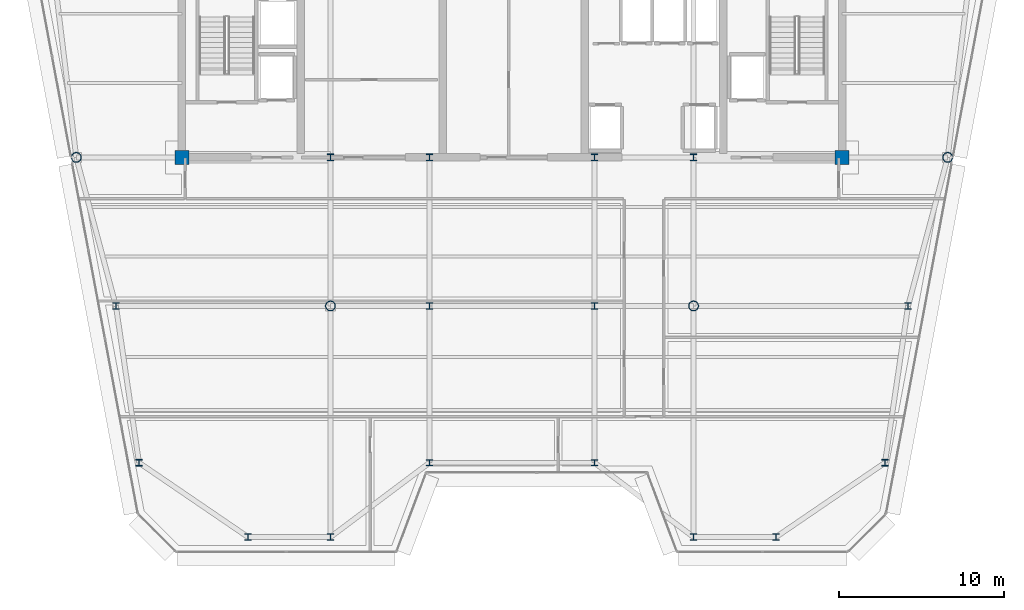
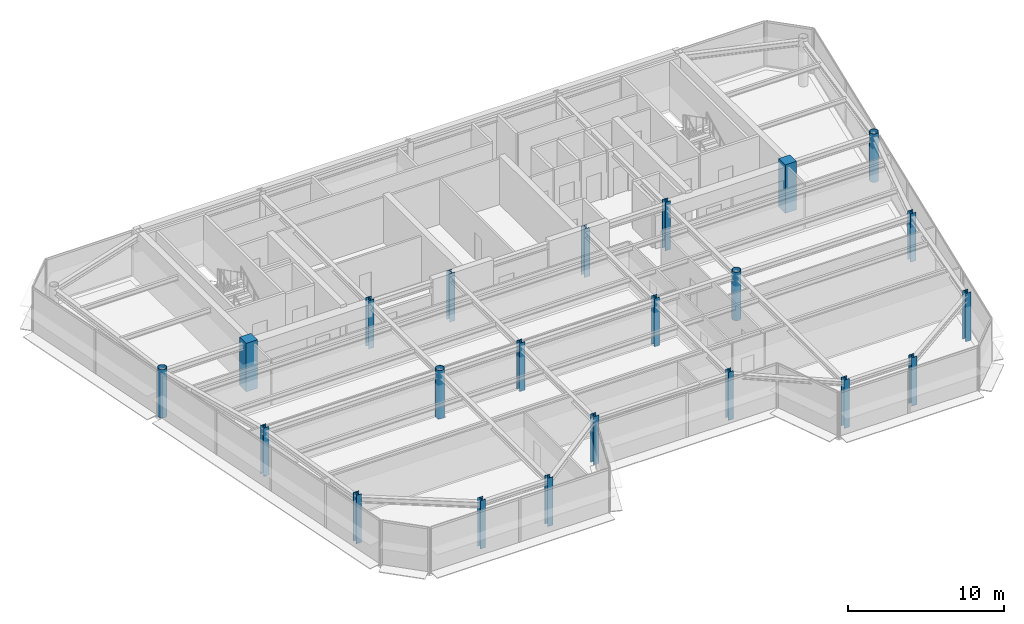
# One storey, part 1 of 19: 22 columns.
"""IFC4 building model written with IfcOpenShell, lengths in metres."""

import ifcopenshell
import ifcopenshell.guid

model = None  # the IFC model being written
_history = None  # IfcOwnerHistory: only IFC2X3 demands one
_inside = {}  # id of a spatial element -> (the spatial element, [elements in it])
_under = {}  # id of a project, library or spatial element -> (it, [spatial elements below it])
_declared = {}  # id of a project -> (the project, [libraries it declares])
_typed = {}  # id of a type object -> (the type object, [elements of that type])
_made_of = {}  # id of a material, layer set ... -> (it, [elements and type objects made of it])


def new_model(schema):
    """Start an empty IFC model of exactly this schema.

    Asked for "IFC4X3", IfcOpenShell would pick the latest addendum, in which some entities
    have other attributes; the version numbers below select the first issue.
    IFC2X3 requires an IfcOwnerHistory on every rooted entity: one is made here for all.
    """
    global model, _history
    if schema == "IFC4X3":
        model = ifcopenshell.file(schema_version=(4, 3, 0, 0))
    else:
        model = ifcopenshell.file(schema=schema)
    _inside.clear()
    _under.clear()
    _declared.clear()
    _typed.clear()
    _made_of.clear()
    _history = None
    if model.schema == "IFC2X3":
        org = make("IfcOrganization", Name="unknown")
        user = make(
            "IfcPersonAndOrganization",
            ThePerson=make("IfcPerson", FamilyName="unknown"),
            TheOrganization=org,
        )
        app = make(
            "IfcApplication",
            ApplicationDeveloper=org,
            Version="unknown",
            ApplicationFullName="unknown",
            ApplicationIdentifier="unknown",
        )
        _history = make(
            "IfcOwnerHistory",
            OwningUser=user,
            OwningApplication=app,
            ChangeAction="ADDED",
            CreationDate=0,
        )
    return model


def make(cls, **values):
    """One entity of the class cls with the attributes given. An attribute that is None is left unset."""
    return model.create_entity(
        cls, **{name: value for name, value in values.items() if value is not None}
    )


def rooted(cls, **values):
    """An entity with a GlobalId (a new one), such as an element, a storey or a relation."""
    return make(cls, GlobalId=ifcopenshell.guid.new(), OwnerHistory=_history, **values)


def si_unit(unit_type, name, prefix=None):
    """IfcSIUnit, for example si_unit("LENGTHUNIT", "METRE", prefix="MILLI")."""
    return make("IfcSIUnit", UnitType=unit_type, Prefix=prefix, Name=name)


def assignment(units):
    """IfcUnitAssignment: the units of a project."""
    return None if units is None else make("IfcUnitAssignment", Units=units)


def point(xyz):
    """IfcCartesianPoint."""
    return None if xyz is None else make("IfcCartesianPoint", Coordinates=xyz)


def direction(xyz):
    """IfcDirection."""
    return None if xyz is None else make("IfcDirection", DirectionRatios=xyz)


def frame(location, z_axis=None, x_axis=None):
    """IfcAxis2Placement3D, a coordinate frame: its origin and axes. An axis left out is left unset."""
    return make(
        "IfcAxis2Placement3D",
        Location=point(location),
        Axis=direction(z_axis),
        RefDirection=direction(x_axis),
    )


def frame_2d(location, x_axis=None):
    """IfcAxis2Placement2D, a coordinate frame in the plane: its origin and x axis."""
    return make(
        "IfcAxis2Placement2D", Location=point(location), RefDirection=direction(x_axis)
    )


def origin():
    """The frame at (0, 0, 0) with its axes left unset."""
    return frame((0.0, 0.0, 0.0))


def origin_2d():
    """The frame at (0, 0) in the plane with its x axis left unset."""
    return frame_2d((0.0, 0.0))


def place(relative_to, where):
    """IfcLocalPlacement: puts the frame where relative to a parent placement (None: the world)."""
    return make(
        "IfcLocalPlacement", PlacementRelTo=relative_to, RelativePlacement=where
    )


def context(
    kind, dimensions, precision=None, world=None, true_north=None, identifier=None
):
    """IfcGeometricRepresentationContext, for example the 3D "Model" context."""
    return make(
        "IfcGeometricRepresentationContext",
        ContextIdentifier=identifier,
        ContextType=kind,
        CoordinateSpaceDimension=dimensions,
        Precision=precision,
        WorldCoordinateSystem=world,
        TrueNorth=true_north,
    )


def subcontext(parent, identifier, kind, view, scale=None):
    """IfcGeometricRepresentationSubContext, for example "Body" below "Model"."""
    return make(
        "IfcGeometricRepresentationSubContext",
        ContextIdentifier=identifier,
        ContextType=kind,
        ParentContext=parent,
        TargetScale=scale,
        TargetView=view,
    )


def project(units=None, contexts=None):
    """IfcProject with its units and contexts."""
    return rooted(
        "IfcProject",
        Name="project",
        RepresentationContexts=contexts,
        UnitsInContext=assignment(units),
    )


def spatial(cls, under=None, at=None, **own):
    """A site, building, storey or space (cls), placed at a placement, below another one or the project."""
    s = rooted(cls, ObjectPlacement=at, **own)
    if under is not None:
        _under.setdefault(under.id(), (under, []))[1].append(s)
    return s


def profile(cls, at=None, kind="AREA", **sizes):
    """A parametric profile (cls). Its sizes go by their IFC names, for example OverallWidth=200.0."""
    return make(cls, ProfileType=kind, Position=at, **sizes)


def rectangle(**sizes):
    """IfcRectangleProfileDef."""
    return profile("IfcRectangleProfileDef", **sizes)


def hollow_circle(**sizes):
    """IfcCircleHollowProfileDef."""
    return profile("IfcCircleHollowProfileDef", **sizes)


def i_section(**sizes):
    """IfcIShapeProfileDef."""
    return profile("IfcIShapeProfileDef", **sizes)


def extrude(swept, where, along, depth):
    """IfcExtrudedAreaSolid: the profile swept, set in the frame where, extruded along a direction by depth."""
    return make(
        "IfcExtrudedAreaSolid",
        SweptArea=swept,
        Position=where,
        ExtrudedDirection=direction(along),
        Depth=depth,
    )


def shape(context_of_items, identifier, shape_type, items):
    """IfcShapeRepresentation: the items that make up one representation, for example the "Body"."""
    return make(
        "IfcShapeRepresentation",
        ContextOfItems=context_of_items,
        RepresentationIdentifier=identifier,
        RepresentationType=shape_type,
        Items=items,
    )


def source(mapping_origin, context_of_items, identifier, shape_type, items):
    """IfcRepresentationMap: a shape defined once, which mapped items show again and again."""
    return make(
        "IfcRepresentationMap",
        MappingOrigin=mapping_origin,
        MappedRepresentation=shape(context_of_items, identifier, shape_type, items),
    )


def transform(
    local_origin,
    x_axis=None,
    y_axis=None,
    z_axis=None,
    scale=None,
    scale2=None,
    scale3=None,
    uniform=True,
):
    """IfcCartesianTransformationOperator3D, or its non-uniform kind. x_axis, y_axis, z_axis: its Axis1, 2, 3."""
    if uniform:
        return make(
            "IfcCartesianTransformationOperator3D",
            Axis1=direction(x_axis),
            Axis2=direction(y_axis),
            LocalOrigin=point(local_origin),
            Scale=scale,
            Axis3=direction(z_axis),
        )
    return make(
        "IfcCartesianTransformationOperator3DnonUniform",
        Axis1=direction(x_axis),
        Axis2=direction(y_axis),
        LocalOrigin=point(local_origin),
        Scale=scale,
        Axis3=direction(z_axis),
        Scale2=scale2,
        Scale3=scale3,
    )


def mapped(mapping_source, mapping_target):
    """IfcMappedItem: shows the shape of a source again, moved by a transform."""
    return make(
        "IfcMappedItem", MappingSource=mapping_source, MappingTarget=mapping_target
    )


def material(Name=None, Category=None):
    """IfcMaterial."""
    return make("IfcMaterial", Name=Name, Category=Category)


def material_profile(
    of_material, cross_section, Name=None, Category=None, Priority=None
):
    """IfcMaterialProfile: a cross section and its material."""
    return make(
        "IfcMaterialProfile",
        Name=Name,
        Material=of_material,
        Profile=cross_section,
        Priority=Priority,
        Category=Category,
    )


def profile_set(profiles, Name=None, composite=None):
    """IfcMaterialProfileSet."""
    return make(
        "IfcMaterialProfileSet",
        Name=Name,
        MaterialProfiles=profiles,
        CompositeProfile=composite,
    )


def made_of(thing, what):
    """Note that an element or type object is made of a material, layer set ...; save() writes the relation."""
    if what is not None:
        _made_of.setdefault(what.id(), (what, []))[1].append(thing)
    return thing


def type_object(cls, material=None, **own):
    """A type object (cls), such as IfcWallType, which elements share."""
    return made_of(rooted(cls, **own), material)


def element(
    cls,
    number,
    at=None,
    inside=None,
    cuts=None,
    type_object=None,
    material=None,
    context=None,
    identifier="Body",
    shape_type=None,
    held_by="IfcProductDefinitionShape",
    body=None,
    shapes=None,
    **own,
):
    """One element of the class cls, such as IfcWall. Its Tag is "e" and its number.

    at: its placement. inside: the storey or other place that contains it. cuts: it is an
    opening in that element (IfcRelVoidsElement). A single representation is given by context,
    identifier, shape_type and body (its items); several are given by shapes. held_by: the class
    of the entity that holds the representations. save() writes the other relations.
    """
    e = rooted(cls, Tag="e%d" % number, ObjectPlacement=at, **own)
    if body is not None:
        shapes = [shape(context, identifier, shape_type, body)]
    if shapes is not None:
        e.Representation = make(held_by, Representations=shapes)
    if inside is not None:
        _inside.setdefault(inside.id(), (inside, []))[1].append(e)
    if cuts is not None:
        rooted(
            "IfcRelVoidsElement", RelatingBuildingElement=cuts, RelatedOpeningElement=e
        )
    if type_object is not None:
        _typed.setdefault(type_object.id(), (type_object, []))[1].append(e)
    return made_of(e, material)


def aggregate(whole, parts):
    """IfcRelAggregates: a whole, such as a stair, and the parts it consists of."""
    return rooted("IfcRelAggregates", RelatingObject=whole, RelatedObjects=parts)


def save(model, path):
    """Write the relations noted so far, then the file.

    IfcRelAggregates (storeys below a building ...), IfcRelContainedInSpatialStructure (elements
    in a storey), IfcRelDefinesByType, IfcRelAssociatesMaterial and IfcRelDeclares: one each for
    every whole, place, type object, material and project.
    """
    for whole, parts in _under.values():
        aggregate(whole, parts)
    for where, things in _inside.values():
        rooted(
            "IfcRelContainedInSpatialStructure",
            RelatedElements=things,
            RelatingStructure=where,
        )
    for kind, things in _typed.values():
        rooted("IfcRelDefinesByType", RelatedObjects=things, RelatingType=kind)
    for what, things in _made_of.values():
        rooted("IfcRelAssociatesMaterial", RelatedObjects=things, RelatingMaterial=what)
    for by, libraries in _declared.values():
        rooted("IfcRelDeclares", RelatingContext=by, RelatedDefinitions=libraries)
    model.write(path)


model = new_model("IFC4")

# Units and contexts
model_context = context("Model", 3, precision=1e-05, world=origin(), true_north=direction((0.0, 1.0)))
body_context = subcontext(model_context, "Body", "Model", "MODEL_VIEW")
ifc_project = project(units=[si_unit("LENGTHUNIT", "METRE"), si_unit("AREAUNIT", "SQUARE_METRE"), si_unit("VOLUMEUNIT", "CUBIC_METRE"), si_unit("PLANEANGLEUNIT", "RADIAN"), si_unit("MASSUNIT", "GRAM", prefix="KILO")], contexts=[model_context])

# Site, building, storey
site_placement = place(None, origin())
site = spatial("IfcSite", under=ifc_project, at=site_placement, CompositionType="ELEMENT")
building_placement = place(site_placement, origin())
building = spatial("IfcBuilding", under=site, at=building_placement, Name="Vaeldorn Concourse Tower", CompositionType="ELEMENT")
storey_placement = place(building_placement, frame((0.0, 0.0, 287.800048828125)))
storey = spatial("IfcBuildingStorey", under=building, at=storey_placement, Name="L74", CompositionType="ELEMENT", Elevation=287.800048828125)

# Columns
ifc_material_1 = material(Name="Concrete C50/60", Category="concrete")
ifc_material_profile_1 = material_profile(ifc_material_1, rectangle(XDim=0.85009765625, YDim=0.85009765625, at=origin_2d()), Name="RC 850x850")
ifc_profile_set_1 = profile_set([ifc_material_profile_1], Name="Concrete C50/60")
column_type_1 = type_object("IfcColumnType", Name="COL-RC850", PredefinedType="COLUMN", material=ifc_profile_set_1)
shared_shape_1 = source(origin(), body_context, "Body", "SweptSolid", [
    extrude(rectangle(XDim=0.85009765625, YDim=0.85009765625, at=origin_2d()), origin(), (0.0, 0.0, 1.0), 3.800048828125),
])
for number, where, z_axis, x_axis, name in (
    (1, (14.0, 36.5, 0.0), (0.0, 0.0, 1.0), (1.0, 0.0, 0.0), "Column C-FC1 L74"),
    (2, (54.0, 36.5, 0.0), (0.0, 0.0, 1.0), (1.0, 0.0, 0.0), "Column C-FC6 L74"),
):
    element("IfcColumn", number, at=place(storey_placement, frame(where, z_axis=z_axis, x_axis=x_axis)), inside=storey, type_object=column_type_1, Name=name, PredefinedType="COLUMN", context=body_context, shape_type="MappedRepresentation", body=[
        mapped(shared_shape_1, transform((0.0, 0.0, 0.0), scale=1.0)),
    ])
ifc_material_2 = material(Name="Steel S355", Category="steel")
ifc_material_profile_2 = material_profile(ifc_material_2, i_section(OverallWidth=0.406005859375, OverallDepth=0.416015625, WebThickness=0.02978515625, FlangeThickness=0.0419921875, FilletRadius=0.014892578125, at=origin_2d()), Name="HD 400x382")
ifc_profile_set_2 = profile_set([ifc_material_profile_2], Name="Steel S355")
column_type_2 = type_object("IfcColumnType", Name="COL-HD382", PredefinedType="COLUMN", material=ifc_profile_set_2)
shared_shape_2 = source(origin(), body_context, "Body", "SweptSolid", [
    extrude(i_section(OverallWidth=0.406005859375, OverallDepth=0.416015625, WebThickness=0.02978515625, FlangeThickness=0.0419921875, FilletRadius=0.014892578125, at=origin_2d()), origin(), (0.0, 0.0, 1.0), 3.800048828125),
])
for number, where, z_axis, x_axis, name in (
    (3, (23.0, 36.5, 0.0), (0.0, 0.0, 1.0), (1.0, 0.0, 0.0), "Column C-FC2 L74"),
    (4, (29.0, 36.5, 0.0), (0.0, 0.0, 1.0), (1.0, 0.0, 0.0), "Column C-FC3 L74"),
    (5, (39.0, 36.5, 0.0), (0.0, 0.0, 1.0), (1.0, 0.0, 0.0), "Column C-FC4 L74"),
    (6, (45.0, 36.5, 0.0), (0.0, 0.0, 1.0), (1.0, 0.0, 0.0), "Column C-FC5 L74"),
):
    element("IfcColumn", number, at=place(storey_placement, frame(where, z_axis=z_axis, x_axis=x_axis)), inside=storey, type_object=column_type_2, Name=name, PredefinedType="COLUMN", context=body_context, shape_type="MappedRepresentation", body=[
        mapped(shared_shape_2, transform((0.0, 0.0, 0.0), scale=1.0)),
    ])
ifc_material_profile_3 = material_profile(ifc_material_2, hollow_circle(Radius=0.304931640625, WallThickness=0.030029296875, at=origin_2d()), Name="CHS 610x30")
ifc_profile_set_3 = profile_set([ifc_material_profile_3], Name="Steel S355")
column_type_3 = type_object("IfcColumnType", Name="COL-CHS610", PredefinedType="COLUMN", material=ifc_profile_set_3)
shared_shape_3 = source(origin(), body_context, "Body", "SweptSolid", [
    extrude(hollow_circle(Radius=0.304931640625, WallThickness=0.030029296875, at=origin_2d()), origin(), (0.0, 0.0, 1.0), 3.800048828125),
])
for number, where, z_axis, x_axis, name in (
    (7, (7.60009765625, 36.5, 0.0), (0.0, 0.0, 1.0), (1.0, 0.0, 0.0), "Column C-NW2 L74"),
    (8, (60.39990234375, 36.5, 0.0), (0.0, 0.0, 1.0), (1.0, 0.0, 0.0), "Column C-NE2 L74"),
    (9, (23.0, 27.5, 0.0), (0.0, 0.0, 1.0), (1.0, 0.0, 0.0), "Column C-TW1 L74"),
    (10, (45.0, 27.5, 0.0), (0.0, 0.0, 1.0), (1.0, 0.0, 0.0), "Column C-TW4 L74"),
):
    element("IfcColumn", number, at=place(storey_placement, frame(where, z_axis=z_axis, x_axis=x_axis)), inside=storey, type_object=column_type_3, Name=name, PredefinedType="COLUMN", context=body_context, shape_type="MappedRepresentation", body=[
        mapped(shared_shape_3, transform((0.0, 0.0, 0.0), scale=1.0)),
    ])
ifc_material_profile_4 = material_profile(ifc_material_2, i_section(OverallWidth=0.40087890625, OverallDepth=0.39892578125, WebThickness=0.02490234375, FlangeThickness=0.034912109375, FilletRadius=0.014892578125, at=origin_2d()), Name="HD 400x314")
ifc_profile_set_4 = profile_set([ifc_material_profile_4], Name="Steel S355")
column_type_4 = type_object("IfcColumnType", Name="COL-HD314F", PredefinedType="COLUMN", material=ifc_profile_set_4)
shared_shape_4 = source(origin(), body_context, "Body", "SweptSolid", [
    extrude(i_section(OverallWidth=0.40087890625, OverallDepth=0.39892578125, WebThickness=0.02490234375, FlangeThickness=0.034912109375, FilletRadius=0.014892578125, at=origin_2d()), origin(), (0.0, 0.0, 1.0), 3.800048828125),
])
for number, where, z_axis, x_axis, name in (
    (11, (10.0, 27.5, 0.0), (0.0, 0.0, 1.0), (1.0, 0.0, 0.0), "Column C-FLW1 L74"),
    (12, (11.39990234375, 18.0, 0.0), (0.0, 0.0, 1.0), (1.0, 0.0, 0.0), "Column C-FLW2 L74"),
    (13, (58.0, 27.5, 0.0), (0.0, 0.0, 1.0), (1.0, 0.0, 0.0), "Column C-FLE1 L74"),
    (14, (56.60009765625, 18.0, 0.0), (0.0, 0.0, 1.0), (1.0, 0.0, 0.0), "Column C-FLE2 L74"),
):
    element("IfcColumn", number, at=place(storey_placement, frame(where, z_axis=z_axis, x_axis=x_axis)), inside=storey, type_object=column_type_4, Name=name, PredefinedType="COLUMN", context=body_context, shape_type="MappedRepresentation", body=[
        mapped(shared_shape_4, transform((0.0, 0.0, 0.0), scale=1.0)),
    ])
ifc_material_profile_5 = material_profile(ifc_material_2, i_section(OverallWidth=0.39794921875, OverallDepth=0.386962890625, WebThickness=0.0205078125, FlangeThickness=0.029052734375, FilletRadius=0.014892578125, at=origin_2d()), Name="HD 400x262")
ifc_profile_set_5 = profile_set([ifc_material_profile_5], Name="Steel S355")
column_type_5 = type_object("IfcColumnType", Name="COL-HD262T", PredefinedType="COLUMN", material=ifc_profile_set_5)
shared_shape_5 = source(origin(), body_context, "Body", "SweptSolid", [
    extrude(i_section(OverallWidth=0.39794921875, OverallDepth=0.386962890625, WebThickness=0.0205078125, FlangeThickness=0.029052734375, FilletRadius=0.014892578125, at=origin_2d()), origin(), (0.0, 0.0, 1.0), 3.800048828125),
])
for number, where, z_axis, x_axis, name in (
    (15, (29.0, 27.5, 0.0), (0.0, 0.0, 1.0), (1.0, 0.0, 0.0), "Column C-TW2 L74"),
    (16, (39.0, 27.5, 0.0), (0.0, 0.0, 1.0), (1.0, 0.0, 0.0), "Column C-TW3 L74"),
    (17, (18.0, 13.5, 0.0), (0.0, 0.0, 1.0), (1.0, 0.0, 0.0), "Column C-SF1 L74"),
    (18, (23.0, 13.5, 0.0), (0.0, 0.0, 1.0), (1.0, 0.0, 0.0), "Column C-SF2 L74"),
    (19, (29.0, 18.0, 0.0), (0.0, 0.0, 1.0), (1.0, 0.0, 0.0), "Column C-SF3 L74"),
    (20, (39.0, 18.0, 0.0), (0.0, 0.0, 1.0), (1.0, 0.0, 0.0), "Column C-SF4 L74"),
    (21, (45.0, 13.5, 0.0), (0.0, 0.0, 1.0), (1.0, 0.0, 0.0), "Column C-SF5 L74"),
    (22, (50.0, 13.5, 0.0), (0.0, 0.0, 1.0), (1.0, 0.0, 0.0), "Column C-SF6 L74"),
):
    element("IfcColumn", number, at=place(storey_placement, frame(where, z_axis=z_axis, x_axis=x_axis)), inside=storey, type_object=column_type_5, Name=name, PredefinedType="COLUMN", context=body_context, shape_type="MappedRepresentation", body=[
        mapped(shared_shape_5, transform((0.0, 0.0, 0.0), scale=1.0)),
    ])

save(model, "model.ifc")
